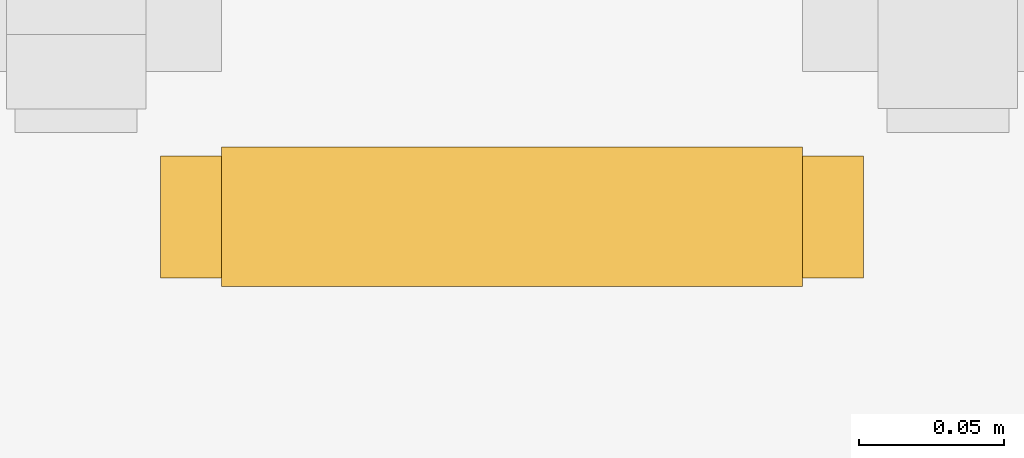
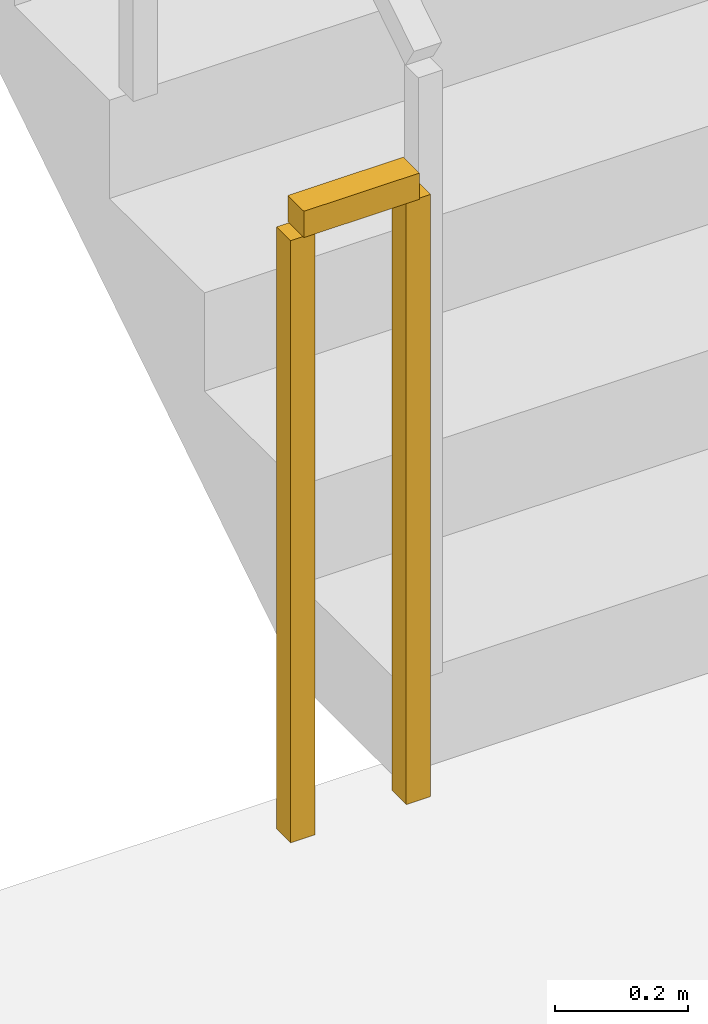
# One storey, part 22 of 24: 1 railing.
"""IFC4 building model written with IfcOpenShell, lengths in metres."""

from ifc_helpers import new_model, si_unit, direction, frame, origin, origin_2d, place, context, subcontext, project, spatial, rectangle, extrude, material, type_object, element, save


model = new_model("IFC4")

# Units and contexts
model_context = context("Model", 3, precision=1e-05, world=origin(), true_north=direction((0.0, 1.0)))
body_context = subcontext(model_context, "Body", "Model", "MODEL_VIEW")
ifc_project = project(units=[si_unit("LENGTHUNIT", "METRE"), si_unit("AREAUNIT", "SQUARE_METRE"), si_unit("VOLUMEUNIT", "CUBIC_METRE"), si_unit("PLANEANGLEUNIT", "RADIAN"), si_unit("MASSUNIT", "GRAM", prefix="KILO")], contexts=[model_context])

# Site, building, storey
site_placement = place(None, origin())
site = spatial("IfcSite", under=ifc_project, at=site_placement, CompositionType="ELEMENT")
building_placement = place(site_placement, origin())
building = spatial("IfcBuilding", under=site, at=building_placement, Name="Sarneth Arch Tower", CompositionType="ELEMENT")
storey_placement = place(building_placement, frame((0.0, 0.0, 94.800048828125)))
storey = spatial("IfcBuildingStorey", under=building, at=storey_placement, Name="L23", CompositionType="ELEMENT", Elevation=94.800048828125)

# Railing
ifc_material = material(Name="Painted Steel S275 stair well guard", Category="steel")
railing_type = type_object("IfcRailingType", Name="RAIL-STAIR-GUARD", PredefinedType="GUARDRAIL", material=ifc_material)
railing_placement = place(storey_placement, frame((39.050048828125, 41.39990234375, 0.0)))
element("IfcRailing", 1, at=railing_placement, inside=storey, type_object=railing_type, Name="L23 ST-1 stair guard 4", PredefinedType="GUARDRAIL", context=body_context, shape_type="SweptSolid", body=[
    extrude(rectangle(XDim=0.048095703125, YDim=0.048095703125, at=origin_2d()), frame((0.0, 0.0, 1.1259765625), z_axis=(-1.0, 0.0, 0.0), x_axis=(0.0, -1.0, 0.0)), (0.0, 0.0, 1.0), 0.199951171875),
    extrude(rectangle(XDim=0.0419921875, YDim=0.0419921875, at=origin_2d()), origin(), (0.0, 0.0, 1.0), 1.101806640625),
    extrude(rectangle(XDim=0.0419921875, YDim=0.0419921875, at=origin_2d()), frame((-0.199951171875, 0.0, 0.0)), (0.0, 0.0, 1.0), 1.101806640625),
])

save(model, "model.ifc")
